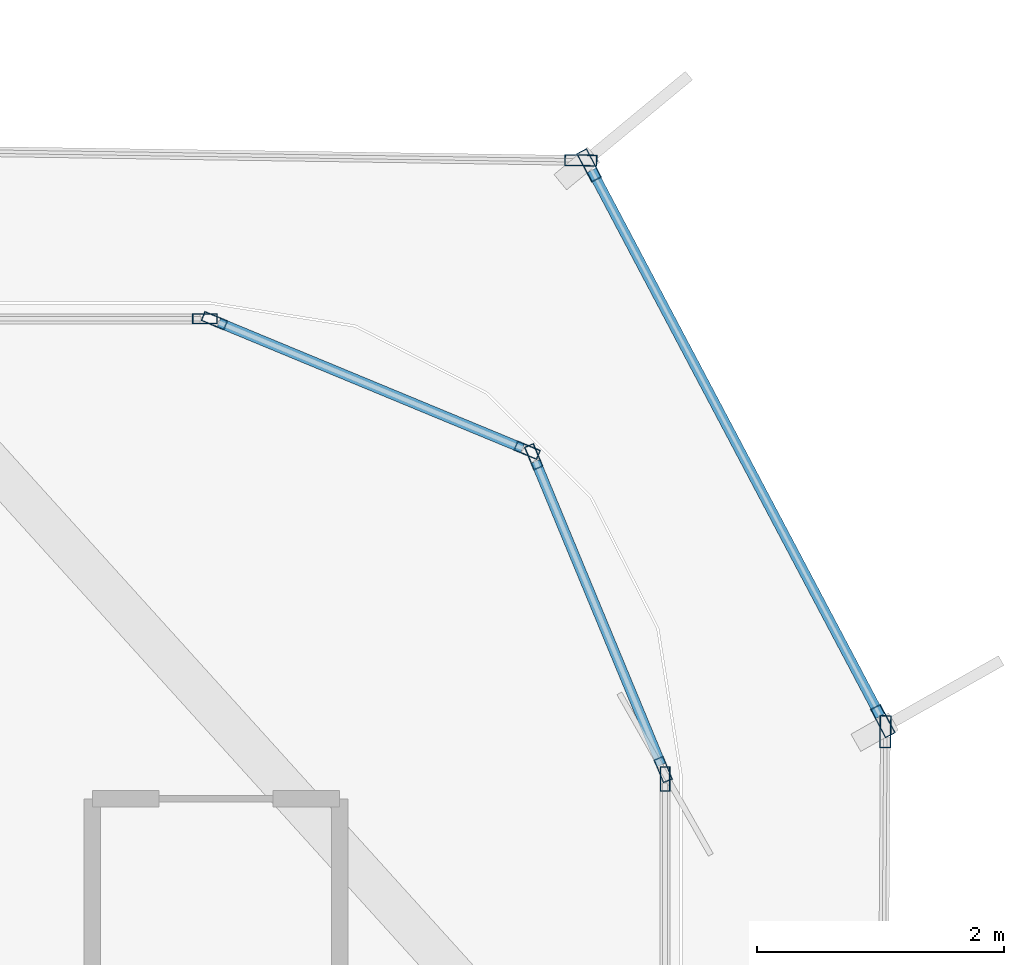
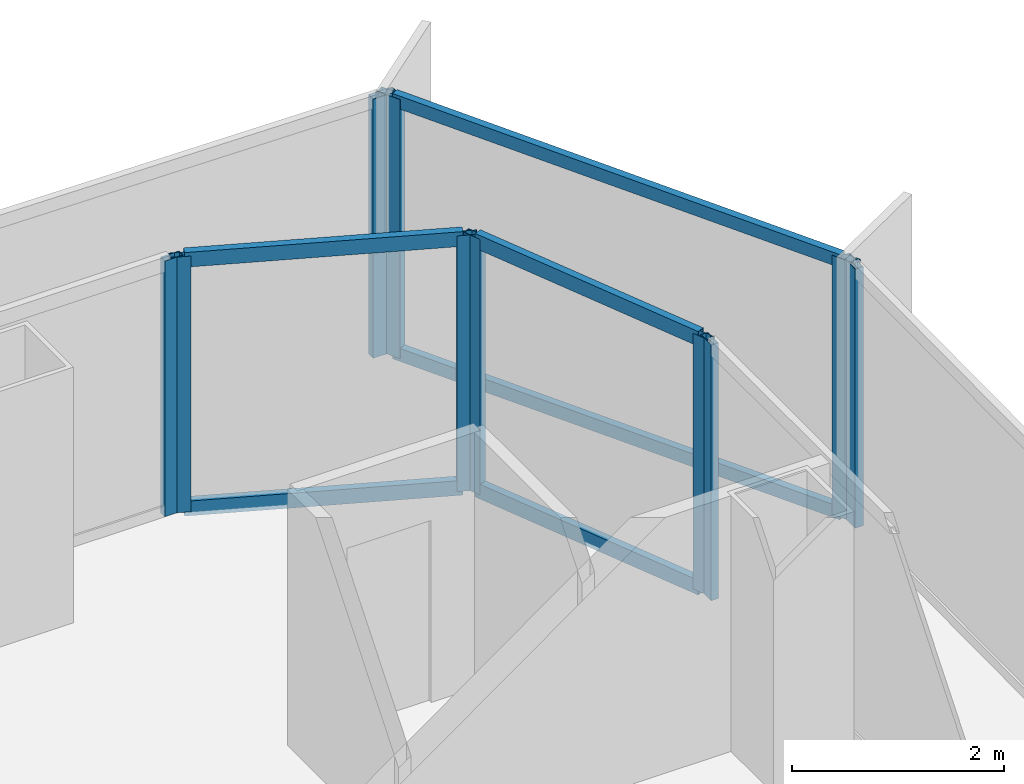
# One storey, part 14 of 21: 16 members, 7 elements without a shape of their own.
"""IFC4 building model written with IfcOpenShell, lengths in metres."""

from ifc_helpers import new_model, si_unit, direction, frame, origin, origin_2d, place, context, subcontext, project, spatial, hollow_rectangle, extrude, source, transform, mapped, material, layer, layer_set, material_profile, profile_set, type_object, element, aggregate, save


model = new_model("IFC4")

# Units and contexts
model_context = context("Model", 3, precision=1e-05, world=origin(), true_north=direction((0.0, 1.0)))
body_context = subcontext(model_context, "Body", "Model", "MODEL_VIEW")
ifc_project = project(units=[si_unit("LENGTHUNIT", "METRE"), si_unit("AREAUNIT", "SQUARE_METRE"), si_unit("VOLUMEUNIT", "CUBIC_METRE"), si_unit("PLANEANGLEUNIT", "RADIAN"), si_unit("MASSUNIT", "GRAM", prefix="KILO")], contexts=[model_context])

# Site, building, storey
site_placement = place(None, origin())
site = spatial("IfcSite", under=ifc_project, at=site_placement, CompositionType="ELEMENT")
building_placement = place(site_placement, origin())
building = spatial("IfcBuilding", under=site, at=building_placement, Name="Kolveth Station Tower", CompositionType="ELEMENT")
storey_placement = place(building_placement, frame((0.0, 0.0, 115.10009765625)))
storey = spatial("IfcBuildingStorey", under=building, at=storey_placement, Name="L31", CompositionType="ELEMENT", Elevation=115.10009765625)

# Curtain wall, member
ifc_material_1 = material(Name="Aluminium 6063-T6 and low-E dark glass", Category="aluminium")
ifc_layer_1 = layer(ifc_material_1, 0.18994140625)
ifc_layer_set_1 = layer_set([ifc_layer_1], Name="Aluminium 6063-T6 and low-E dark glass")
curtain_wall_type_1 = type_object("IfcCurtainWallType", Name="CurtainWall_CW-Z2", PredefinedType="NOTDEFINED", material=ifc_layer_set_1)
curtain_wall_1_placement = place(storey_placement, origin())
curtain_wall_1 = element("IfcCurtainWall", 1, at=curtain_wall_1_placement, inside=storey, type_object=curtain_wall_type_1, Name="L31 Inner Thermal Curtain Wall 3", PredefinedType="NOTDEFINED")
ifc_material_2 = material(Name="Black anodized aluminium 6063-T6", Category="aluminium")
ifc_material_profile_1 = material_profile(ifc_material_2, hollow_rectangle(XDim=0.080078125, YDim=0.199951171875, WallThickness=0.0048828125, at=origin_2d()), Name="ALU-80x200x5")
ifc_profile_set_1 = profile_set([ifc_material_profile_1], Name="Black anodized aluminium 6063-T6")
member_type_1 = type_object("IfcMemberType", Name="Mullion_ML2", PredefinedType="MULLION", material=ifc_profile_set_1)
shared_shape_1 = source(origin(), body_context, "Body", "SweptSolid", [
    extrude(hollow_rectangle(XDim=0.080078125, YDim=0.199951171875, WallThickness=0.0048828125, at=origin_2d()), origin(), (0.0, 0.0, 1.0), 2.949951171875),
])
member_1_placement = place(storey_placement, frame((46.8798828125, 31.4599609375, 0.0), z_axis=(0.0, 0.0, 1.0), x_axis=(-1.0, 0.0, 0.0)))
member_1 = element("IfcMember", 2, at=member_1_placement, type_object=member_type_1, Name="CW-Z2 mullion 2", PredefinedType="MULLION", context=body_context, shape_type="MappedRepresentation", body=[
    mapped(shared_shape_1, transform((0.0, 0.0, 0.0), x_axis=(1.0, 0.0, 0.0), y_axis=(0.0, 1.0, 0.0), z_axis=(0.0, 0.0, 1.0), scale=1.0)),
])
aggregate(curtain_wall_1, [member_1])

# Curtain wall, members
curtain_wall_2_placement = place(storey_placement, origin())
curtain_wall_2 = element("IfcCurtainWall", 3, at=curtain_wall_2_placement, inside=storey, type_object=curtain_wall_type_1, Name="L31 Inner Thermal Curtain Wall 4", PredefinedType="NOTDEFINED")
member_2_placement = place(storey_placement, frame((46.86474609375, 31.536865234375, 0.0), z_axis=(0.0, 0.0, 1.0), x_axis=(-0.923887883787, -0.38266326998, 0.0)))
member_2 = element("IfcMember", 4, at=member_2_placement, type_object=member_type_1, Name="CW-Z2 mullion 1", PredefinedType="MULLION", context=body_context, shape_type="MappedRepresentation", body=[
    mapped(shared_shape_1, transform((0.0, 0.0, 0.0), x_axis=(1.0, 0.0, 0.0), y_axis=(0.0, 1.0, 0.0), z_axis=(0.0, 0.0, 1.0), scale=1.0)),
])
member_3_placement = place(storey_placement, frame((45.817626953125, 34.065185546875, 0.0), z_axis=(0.0, 0.0, 1.0), x_axis=(-0.923887883787, -0.38266326998, 0.0)))
member_3 = element("IfcMember", 5, at=member_3_placement, type_object=member_type_1, Name="CW-Z2 mullion 2", PredefinedType="MULLION", context=body_context, shape_type="MappedRepresentation", body=[
    mapped(shared_shape_1, transform((0.0, 0.0, 0.0), x_axis=(1.0, 0.0, 0.0), y_axis=(0.0, 1.0, 0.0), z_axis=(0.0, 0.0, 1.0), scale=1.0)),
])

curtain_wall_3_placement = place(storey_placement, origin())
curtain_wall_3 = element("IfcCurtainWall", 6, at=curtain_wall_3_placement, inside=storey, type_object=curtain_wall_type_1, Name="L31 Inner Thermal Curtain Wall 5", PredefinedType="NOTDEFINED")
member_4_placement = place(storey_placement, frame((45.76513671875, 34.117431640625, 0.0), z_axis=(0.0, 0.0, 1.0), x_axis=(-0.38266326998, -0.923887883787, 0.0)))
member_4 = element("IfcMember", 7, at=member_4_placement, type_object=member_type_1, Name="CW-Z2 mullion 1", PredefinedType="MULLION", context=body_context, shape_type="MappedRepresentation", body=[
    mapped(shared_shape_1, transform((0.0, 0.0, 0.0), x_axis=(1.0, 0.0, 0.0), y_axis=(0.0, 1.0, 0.0), z_axis=(0.0, 0.0, 1.0), scale=1.0)),
])
member_5_placement = place(storey_placement, frame((43.237060546875, 35.164794921875, 0.0), z_axis=(0.0, 0.0, 1.0), x_axis=(-0.38266326998, -0.923887883787, 0.0)))
member_5 = element("IfcMember", 8, at=member_5_placement, type_object=member_type_1, Name="CW-Z2 mullion 2", PredefinedType="MULLION", context=body_context, shape_type="MappedRepresentation", body=[
    mapped(shared_shape_1, transform((0.0, 0.0, 0.0), x_axis=(1.0, 0.0, 0.0), y_axis=(0.0, 1.0, 0.0), z_axis=(0.0, 0.0, 1.0), scale=1.0)),
])

# Curtain wall, member
curtain_wall_4_placement = place(storey_placement, origin())
curtain_wall_4 = element("IfcCurtainWall", 9, at=curtain_wall_4_placement, inside=storey, type_object=curtain_wall_type_1, Name="L31 Inner Thermal Curtain Wall 6", PredefinedType="NOTDEFINED")
member_6_placement = place(storey_placement, frame((43.159912109375, 35.179931640625, 0.0), z_axis=(0.0, 0.0, 1.0), x_axis=(0.0, -1.0, 0.0)))
member_6 = element("IfcMember", 10, at=member_6_placement, type_object=member_type_1, Name="CW-Z2 mullion 1", PredefinedType="MULLION", context=body_context, shape_type="MappedRepresentation", body=[
    mapped(shared_shape_1, transform((0.0, 0.0, 0.0), x_axis=(1.0, 0.0, 0.0), y_axis=(0.0, 1.0, 0.0), z_axis=(0.0, 0.0, 1.0), scale=1.0)),
])
aggregate(curtain_wall_4, [member_6])

# Member
ifc_material_profile_2 = material_profile(ifc_material_2, hollow_rectangle(XDim=0.080078125, YDim=0.169921875, WallThickness=0.0048828125, at=origin_2d()), Name="ALU-80x170x5")
ifc_profile_set_2 = profile_set([ifc_material_profile_2], Name="Black anodized aluminium 6063-T6")
member_type_2 = type_object("IfcMemberType", Name="Transom_TR2", PredefinedType="USERDEFINED", material=ifc_profile_set_2)
shared_shape_2 = source(origin(), body_context, "Body", "SweptSolid", [
    extrude(hollow_rectangle(XDim=0.080078125, YDim=0.169921875, WallThickness=0.0048828125, at=origin_2d()), origin(), (0.0, 0.0, 1.0), 2.656494140625),
])
member_7_placement = place(storey_placement, frame((46.849365234375, 31.573974609375, 0.039794921875), z_axis=(-0.382676455475, 0.923882422403, 0.0), x_axis=(-0.923882422403, -0.382676455475, 0.0)))
member_7 = element("IfcMember", 11, at=member_7_placement, type_object=member_type_2, Name="CW-Z2 transom 1.1", ObjectType="TRANSOM", PredefinedType="USERDEFINED", context=body_context, shape_type="MappedRepresentation", body=[
    mapped(shared_shape_2, transform((0.0, 0.0, 0.0), x_axis=(1.0, 0.0, 0.0), y_axis=(0.0, 1.0, 0.0), z_axis=(0.0, 0.0, 1.0), scale=1.0)),
])

member_8_placement = place(storey_placement, frame((46.849365234375, 31.573974609375, 2.909912109375), z_axis=(-0.382676455475, 0.923882422403, 0.0), x_axis=(-0.923882422403, -0.382676455475, 0.0)))
member_8 = element("IfcMember", 12, at=member_8_placement, type_object=member_type_2, Name="CW-Z2 transom 1.2", ObjectType="TRANSOM", PredefinedType="USERDEFINED", context=body_context, shape_type="MappedRepresentation", body=[
    mapped(shared_shape_2, transform((0.0, 0.0, 0.0), x_axis=(1.0, 0.0, 0.0), y_axis=(0.0, 1.0, 0.0), z_axis=(0.0, 0.0, 1.0), scale=1.0)),
])

aggregate(curtain_wall_2, [member_2, member_3, member_7, member_8])

member_9_placement = place(storey_placement, frame((45.728271484375, 34.1328125, 0.039794921875), z_axis=(-0.923882422403, 0.382676455475, 0.0), x_axis=(-0.382676455475, -0.923882422403, 0.0)))
member_9 = element("IfcMember", 13, at=member_9_placement, type_object=member_type_2, Name="CW-Z2 transom 1.1", ObjectType="TRANSOM", PredefinedType="USERDEFINED", context=body_context, shape_type="MappedRepresentation", body=[
    mapped(shared_shape_2, transform((0.0, 0.0, 0.0), x_axis=(1.0, 0.0, 0.0), y_axis=(0.0, 1.0, 0.0), z_axis=(0.0, 0.0, 1.0), scale=1.0)),
])

member_10_placement = place(storey_placement, frame((45.728271484375, 34.1328125, 2.909912109375), z_axis=(-0.923882422403, 0.382676455475, 0.0), x_axis=(-0.382676455475, -0.923882422403, 0.0)))
member_10 = element("IfcMember", 14, at=member_10_placement, type_object=member_type_2, Name="CW-Z2 transom 1.2", ObjectType="TRANSOM", PredefinedType="USERDEFINED", context=body_context, shape_type="MappedRepresentation", body=[
    mapped(shared_shape_2, transform((0.0, 0.0, 0.0), x_axis=(1.0, 0.0, 0.0), y_axis=(0.0, 1.0, 0.0), z_axis=(0.0, 0.0, 1.0), scale=1.0)),
])

aggregate(curtain_wall_3, [member_4, member_5, member_9, member_10])

# Curtain wall, member
ifc_material_3 = material(Name="Black anodized aluminium 6063-T6 and dark solar glass", Category="aluminium")
ifc_layer_2 = layer(ifc_material_3, 0.159912109375)
ifc_layer_set_2 = layer_set([ifc_layer_2], Name="Black anodized aluminium 6063-T6 and dark solar glass")
curtain_wall_type_2 = type_object("IfcCurtainWallType", Name="OUTER SKIN CW-OS", PredefinedType="NOTDEFINED", material=ifc_layer_set_2)
curtain_wall_5_placement = place(storey_placement, origin())
curtain_wall_5 = element("IfcCurtainWall", 15, at=curtain_wall_5_placement, inside=storey, type_object=curtain_wall_type_2, Name="L31 Outer Ventilated Skin Curtain Wall 2", PredefinedType="NOTDEFINED")
ifc_material_profile_3 = material_profile(ifc_material_2, hollow_rectangle(XDim=0.090087890625, YDim=0.260009765625, WallThickness=0.0048828125, at=origin_2d()), Name="ALU-90x260x5")
ifc_profile_set_3 = profile_set([ifc_material_profile_3], Name="Black anodized aluminium 6063-T6")
member_type_3 = type_object("IfcMemberType", Name="FIN MULLION ML-OS", PredefinedType="MULLION", material=ifc_profile_set_3)
shared_shape_3 = source(origin(), body_context, "Body", "SweptSolid", [
    extrude(hollow_rectangle(XDim=0.090087890625, YDim=0.260009765625, WallThickness=0.0048828125, at=origin_2d()), origin(), (0.0, 0.0, 1.0), 2.989990234375),
])
member_11_placement = place(storey_placement, frame((48.660888671875, 31.84375, 0.0), z_axis=(0.0, 0.0, 1.0), x_axis=(-0.999976917511, 0.006794442156, 0.0)))
member_11 = element("IfcMember", 16, at=member_11_placement, type_object=member_type_3, Name="CW-OS mullion 2", PredefinedType="MULLION", context=body_context, shape_type="MappedRepresentation", body=[
    mapped(shared_shape_3, transform((0.0, 0.0, 0.0), x_axis=(1.0, 0.0, 0.0), y_axis=(0.0, 1.0, 0.0), z_axis=(0.0, 0.0, 1.0), scale=1.0)),
])
aggregate(curtain_wall_5, [member_11])

# Curtain wall, members
curtain_wall_6_placement = place(storey_placement, origin())
curtain_wall_6 = element("IfcCurtainWall", 17, at=curtain_wall_6_placement, inside=storey, type_object=curtain_wall_type_2, Name="L31 Outer Ventilated Skin Curtain Wall 3", PredefinedType="NOTDEFINED")
member_12_placement = place(storey_placement, frame((48.64013671875, 31.928466796875, 0.0), z_axis=(0.0, 0.0, 1.0), x_axis=(-0.884075191733, -0.467344685818, 0.0)))
member_12 = element("IfcMember", 18, at=member_12_placement, type_object=member_type_3, Name="CW-OS mullion 1", PredefinedType="MULLION", context=body_context, shape_type="MappedRepresentation", body=[
    mapped(shared_shape_3, transform((0.0, 0.0, 0.0), x_axis=(1.0, 0.0, 0.0), y_axis=(0.0, 1.0, 0.0), z_axis=(0.0, 0.0, 1.0), scale=1.0)),
])
member_13_placement = place(storey_placement, frame((46.265625, 36.419921875, 0.0), z_axis=(0.0, 0.0, 1.0), x_axis=(-0.884075191733, -0.467344685818, 0.0)))
member_13 = element("IfcMember", 19, at=member_13_placement, type_object=member_type_3, Name="CW-OS mullion 2", PredefinedType="MULLION", context=body_context, shape_type="MappedRepresentation", body=[
    mapped(shared_shape_3, transform((0.0, 0.0, 0.0), x_axis=(1.0, 0.0, 0.0), y_axis=(0.0, 1.0, 0.0), z_axis=(0.0, 0.0, 1.0), scale=1.0)),
])

# Curtain wall, member
curtain_wall_7_placement = place(storey_placement, origin())
curtain_wall_7 = element("IfcCurtainWall", 20, at=curtain_wall_7_placement, inside=storey, type_object=curtain_wall_type_2, Name="L31 Outer Ventilated Skin Curtain Wall 4", PredefinedType="NOTDEFINED")
member_14_placement = place(storey_placement, frame((46.19970703125, 36.46044921875, 0.0), z_axis=(0.0, 0.0, 1.0), x_axis=(-0.014789732241, -0.999890625929, 0.0)))
member_14 = element("IfcMember", 21, at=member_14_placement, type_object=member_type_3, Name="CW-OS mullion 1", PredefinedType="MULLION", context=body_context, shape_type="MappedRepresentation", body=[
    mapped(shared_shape_3, transform((0.0, 0.0, 0.0), x_axis=(1.0, 0.0, 0.0), y_axis=(0.0, 1.0, 0.0), z_axis=(0.0, 0.0, 1.0), scale=1.0)),
])
aggregate(curtain_wall_7, [member_14])

# Member
ifc_material_profile_4 = material_profile(ifc_material_2, hollow_rectangle(XDim=0.080078125, YDim=0.14990234375, WallThickness=0.0048828125, at=origin_2d()), Name="ALU-80x150x5")
ifc_profile_set_4 = profile_set([ifc_material_profile_4], Name="Black anodized aluminium 6063-T6")
member_type_4 = type_object("IfcMemberType", Name="Transom_TR-OS", PredefinedType="USERDEFINED", material=ifc_profile_set_4)
shared_shape_4 = source(origin(), body_context, "Body", "SweptSolid", [
    extrude(hollow_rectangle(XDim=0.080078125, YDim=0.14990234375, WallThickness=0.0048828125, at=origin_2d()), origin(), (0.0, 0.0, 1.0), 4.990478515625),
])
member_15_placement = place(storey_placement, frame((48.619140625, 31.96826171875, 0.039794921875), z_axis=(-0.467352665105, 0.884070973632, 0.0), x_axis=(-0.884070973632, -0.467352665105, 0.0)))
member_15 = element("IfcMember", 22, at=member_15_placement, type_object=member_type_4, Name="CW-OS transom 1.1", ObjectType="TRANSOM", PredefinedType="USERDEFINED", context=body_context, shape_type="MappedRepresentation", body=[
    mapped(shared_shape_4, transform((0.0, 0.0, 0.0), x_axis=(1.0, 0.0, 0.0), y_axis=(0.0, 1.0, 0.0), z_axis=(0.0, 0.0, 1.0), scale=1.0)),
])

member_16_placement = place(storey_placement, frame((48.619140625, 31.96826171875, 2.949951171875), z_axis=(-0.467352665105, 0.884070973632, 0.0), x_axis=(-0.884070973632, -0.467352665105, 0.0)))
member_16 = element("IfcMember", 23, at=member_16_placement, type_object=member_type_4, Name="CW-OS transom 1.2", ObjectType="TRANSOM", PredefinedType="USERDEFINED", context=body_context, shape_type="MappedRepresentation", body=[
    mapped(shared_shape_4, transform((0.0, 0.0, 0.0), x_axis=(1.0, 0.0, 0.0), y_axis=(0.0, 1.0, 0.0), z_axis=(0.0, 0.0, 1.0), scale=1.0)),
])

aggregate(curtain_wall_6, [member_12, member_13, member_15, member_16])

save(model, "model.ifc")
